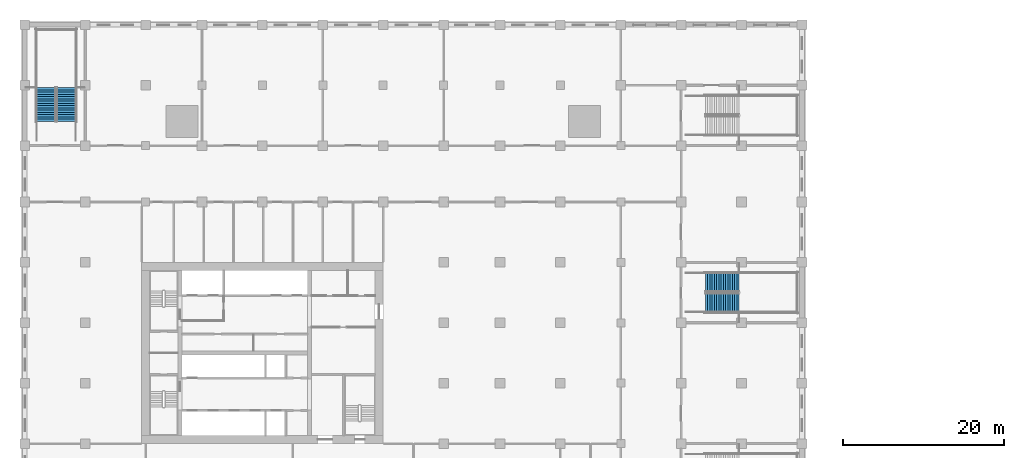
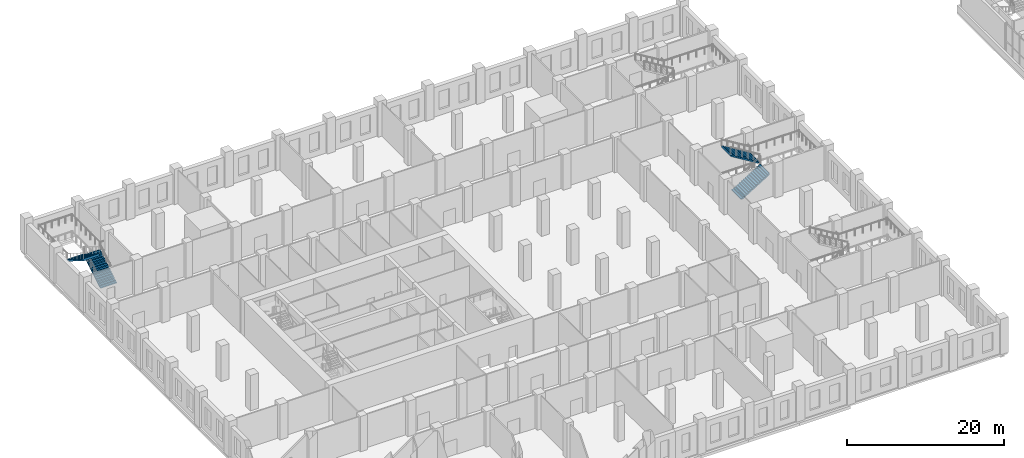
# One storey, part 20 of 35: 4 stair flights, 2 elements without a shape of their own.
"""IFC4 building model written with IfcOpenShell, lengths in metres."""

from ifc_helpers import new_model, si_unit, direction, frame, origin, place, context, subcontext, project, spatial, polyline, outline, extrude, material, type_object, element, aggregate, save


model = new_model("IFC4")

# Units and contexts
model_context = context("Model", 3, precision=1e-05, world=origin(), true_north=direction((0.0, 1.0)))
body_context = subcontext(model_context, "Body", "Model", "MODEL_VIEW")
ifc_project = project(units=[si_unit("LENGTHUNIT", "METRE"), si_unit("AREAUNIT", "SQUARE_METRE"), si_unit("VOLUMEUNIT", "CUBIC_METRE"), si_unit("PLANEANGLEUNIT", "RADIAN"), si_unit("MASSUNIT", "GRAM", prefix="KILO")], contexts=[model_context])

# Site, building, storey
site_placement = place(None, origin())
site = spatial("IfcSite", under=ifc_project, at=site_placement, CompositionType="ELEMENT")
building_placement = place(site_placement, origin())
building = spatial("IfcBuilding", under=site, at=building_placement, Name="Tamorin Gate", CompositionType="ELEMENT")
storey_placement = place(building_placement, frame((0.0, 0.0, 8.0)))
storey = spatial("IfcBuildingStorey", under=building, at=storey_placement, Name="L01", CompositionType="ELEMENT", Elevation=8.0)

# Stair, stair flights
ifc_material = material(Name="Reinforced concrete C32/40", Category="concrete")
stair_type = type_object("IfcStairType", Name="Podium stair PS", PredefinedType="HALF_TURN_STAIR", material=ifc_material)
stair_1_placement = place(storey_placement, origin())
stair_1 = element("IfcStair", 1, at=stair_1_placement, inside=storey, type_object=stair_type, Name="L01 Podium stair PS2", PredefinedType="HALF_TURN_STAIR")
stair_flight_type = type_object("IfcStairFlightType", Name="Stair flight 2400", PredefinedType="STRAIGHT", material=ifc_material)
stair_flight_1_placement = place(storey_placement, frame((20.675048828125, 100.0, 0.0), z_axis=(0.0, 0.0, 1.0), x_axis=(0.0, 1.0, 0.0)))
stair_flight_1 = element("IfcStairFlight", 2, at=stair_flight_1_placement, type_object=stair_flight_type, Name="PS2 flight 1", NumberOfRisers=16, NumberOfTreads=15, PredefinedType="STRAIGHT", RiserHeight=0.171875, TreadLength=0.28, context=body_context, shape_type="SweptSolid", body=[
    extrude(outline(polyline([(-0.00048828125, 0.0), (-0.00048828125, 0.001708984375), (-0.00048828125, 0.00341796875), (-0.00048828125, 0.005126953125), (-0.00048828125, 0.0068359375), (-0.00048828125, 0.008544921875), (-0.00048828125, 0.01025390625), (-0.00048828125, 0.011962890625), (-0.00048828125, 0.013671875), (-0.00048828125, 0.015380859375), (-0.00048828125, 0.01708984375), (-0.00048828125, 0.018798828125), (-0.00048828125, 0.0205078125), (-0.00048828125, 0.022216796875), (-0.00048828125, 0.02392578125), (-0.00048828125, 0.025634765625), (-0.00048828125, 0.02734375), (-0.00048828125, 0.02880859375), (-0.00048828125, 0.030517578125), (-0.00048828125, 0.0322265625), (-0.00048828125, 0.033935546875), (-0.00048828125, 0.03564453125), (-0.00048828125, 0.037353515625), (-0.00048828125, 0.0390625), (-0.00048828125, 0.040771484375), (-0.00048828125, 0.04248046875), (-0.00048828125, 0.044189453125), (-0.00048828125, 0.0458984375), (-0.00048828125, 0.047607421875), (-0.00048828125, 0.04931640625), (-0.00048828125, 0.051025390625), (-0.00048828125, 0.052734375), (-0.00048828125, 0.054443359375), (-0.00048828125, 0.05615234375), (-0.00048828125, 0.057861328125), (-0.00048828125, 0.0595703125), (-0.00048828125, 0.061279296875), (-0.00048828125, 0.06298828125), (-0.00048828125, 0.064697265625), (-0.00048828125, 0.06640625), (-0.00048828125, 0.068115234375), (-0.00048828125, 0.06982421875), (-0.00048828125, 0.071533203125), (-0.00048828125, 0.0732421875), (-0.00048828125, 0.074951171875), (-0.00048828125, 0.07666015625), (-0.00048828125, 0.078369140625), (-0.00048828125, 0.080078125), (-0.00048828125, 0.081787109375), (-0.00048828125, 0.08349609375), (-0.00048828125, 0.085205078125), (-0.00048828125, 0.086669921875), (-0.00048828125, 0.08837890625), (-0.00048828125, 0.090087890625), (-0.00048828125, 0.091796875), (-0.00048828125, 0.093505859375), (-0.00048828125, 0.09521484375), (-0.00048828125, 0.096923828125), (-0.00048828125, 0.0986328125), (-0.00048828125, 0.100341796875), (-0.00048828125, 0.10205078125), (-0.00048828125, 0.103759765625), (-0.00048828125, 0.10546875), (-0.00048828125, 0.107177734375), (-0.00048828125, 0.10888671875), (-0.00048828125, 0.110595703125), (-0.00048828125, 0.1123046875), (-0.00048828125, 0.114013671875), (-0.00048828125, 0.11572265625), (-0.00048828125, 0.117431640625), (-0.00048828125, 0.119140625), (-0.00048828125, 0.120849609375), (-0.00048828125, 0.12255859375), (-0.00048828125, 0.124267578125), (-0.00048828125, 0.1259765625), (-0.00048828125, 0.127685546875), (-0.00048828125, 0.12939453125), (-0.00048828125, 0.131103515625), (-0.00048828125, 0.1328125), (-0.00048828125, 0.134521484375), (-0.00048828125, 0.13623046875), (-0.00048828125, 0.137939453125), (-0.00048828125, 0.1396484375), (-0.00048828125, 0.141357421875), (-0.00048828125, 0.14306640625), (-0.00048828125, 0.14453125), (-0.00048828125, 0.146240234375), (-0.00048828125, 0.14794921875), (-0.00048828125, 0.149658203125), (-0.00048828125, 0.1513671875), (-0.00048828125, 0.153076171875), (-0.00048828125, 0.15478515625), (-0.00048828125, 0.156494140625), (-0.00048828125, 0.158203125), (-0.00048828125, 0.159912109375), (-0.00048828125, 0.16162109375), (-0.00048828125, 0.163330078125), (-0.00048828125, 0.1650390625), (-0.00048828125, 0.166748046875), (-0.00048828125, 0.16845703125), (-0.00048828125, 0.170166015625), (-0.00048828125, 0.171875), (0.280029296875, 0.171875), (0.280029296875, 0.34375), (0.56005859375, 0.34375), (0.56005859375, 0.515625), (0.840087890625, 0.515625), (0.840087890625, 0.6875), (1.1201171875, 0.6875), (1.1201171875, 0.859375), (1.39990234375, 0.859375), (1.39990234375, 1.03125), (1.679931640625, 1.03125), (1.679931640625, 1.203125), (1.9599609375, 1.203125), (1.9599609375, 1.375), (2.239990234375, 1.375), (2.239990234375, 1.546875), (2.52001953125, 1.546875), (2.52001953125, 1.71875), (2.800048828125, 1.71875), (2.800048828125, 1.890625), (3.080078125, 1.890625), (3.080078125, 2.0625), (3.360107421875, 2.0625), (3.360107421875, 2.234375), (3.639892578125, 2.234375), (3.639892578125, 2.40625), (3.919921875, 2.40625), (3.919921875, 2.578125), (4.199951171875, 2.578125), (4.199951171875, 2.75), (4.200439453125, 2.75), (4.200439453125, 2.74658203125), (4.200439453125, 2.7431640625), (4.200439453125, 2.73974609375), (4.200439453125, 2.736328125), (4.200439453125, 2.732666015625), (4.200439453125, 2.729248046875), (4.200439453125, 2.725830078125), (4.200439453125, 2.722412109375), (4.200439453125, 2.718994140625), (4.200439453125, 2.715576171875), (4.200439453125, 2.712158203125), (4.200439453125, 2.708740234375), (4.200439453125, 2.705322265625), (4.200439453125, 2.701904296875), (4.200439453125, 2.6982421875), (4.200439453125, 2.69482421875), (4.200439453125, 2.69140625), (4.200439453125, 2.68798828125), (4.200439453125, 2.6845703125), (4.200439453125, 2.68115234375), (4.200439453125, 2.677734375), (4.200439453125, 2.67431640625), (4.200439453125, 2.6708984375), (4.200439453125, 2.66748046875), (4.200439453125, 2.663818359375), (4.200439453125, 2.660400390625), (4.200439453125, 2.656982421875), (4.200439453125, 2.653564453125), (4.200439453125, 2.650146484375), (4.200439453125, 2.646728515625), (4.200439453125, 2.643310546875), (4.200439453125, 2.639892578125), (4.200439453125, 2.636474609375), (4.200439453125, 2.6328125), (4.200439453125, 2.62939453125), (4.200439453125, 2.6259765625), (4.200439453125, 2.62255859375), (4.200439453125, 2.619140625), (4.200439453125, 2.61572265625), (4.200439453125, 2.6123046875), (4.200439453125, 2.60888671875), (4.200439453125, 2.60546875), (4.200439453125, 2.60205078125), (4.200439453125, 2.598388671875), (4.200439453125, 2.594970703125), (4.200439453125, 2.591552734375), (4.200439453125, 2.588134765625), (4.200439453125, 2.584716796875), (4.200439453125, 2.581298828125), (4.200439453125, 2.577880859375), (4.200439453125, 2.574462890625), (4.200439453125, 2.571044921875), (4.200439453125, 2.567626953125), (4.200439453125, 2.56396484375), (4.200439453125, 2.560546875), (4.200439453125, 2.55712890625), (4.200439453125, 2.5537109375), (4.200439453125, 2.55029296875), (4.200439453125, 2.546875), (4.200439453125, 2.54345703125), (4.200439453125, 2.5400390625), (4.200439453125, 2.53662109375), (4.200439453125, 2.532958984375), (4.200439453125, 2.529541015625), (4.200439453125, 2.526123046875), (4.200439453125, 2.522705078125), (4.200439453125, 2.519287109375), (4.200439453125, 2.515869140625), (4.200439453125, 2.512451171875), (4.200439453125, 2.509033203125), (4.200439453125, 2.505615234375), (4.200439453125, 2.502197265625), (4.200439453125, 2.49853515625), (4.200439453125, 2.4951171875), (4.200439453125, 2.49169921875), (4.200439453125, 2.48828125), (4.200439453125, 2.48486328125), (4.200439453125, 2.4814453125), (4.200439453125, 2.47802734375), (4.200439453125, 2.474609375), (4.200439453125, 2.47119140625), (4.200439453125, 2.4677734375), (4.200439453125, 2.464111328125), (4.200439453125, 2.460693359375), (4.200439453125, 2.457275390625), (4.200439453125, 2.453857421875), (4.200439453125, 2.450439453125), (4.200439453125, 2.447021484375), (4.200439453125, 2.443603515625), (4.200439453125, 2.440185546875), (4.200439453125, 2.436767578125), (4.200439453125, 2.43310546875), (4.200439453125, 2.4296875), (4.200439453125, 2.42626953125), (4.200439453125, 2.4228515625), (4.200439453125, 2.41943359375), (4.200439453125, 2.416015625), (4.200439453125, 2.41259765625), (4.200439453125, 2.4091796875), (4.200439453125, 2.40576171875), (4.200439453125, 2.40234375), (4.199951171875, 2.40234375), (0.28662109375, 0.0), (-0.00048828125, 0.0)])), frame((0.0, 1.199951171875, 0.0), z_axis=(0.0, -1.0, 0.0), x_axis=(1.0, 0.0, 0.0)), (0.0, 0.0, 1.0), 2.39990234375),
])
stair_flight_2_placement = place(storey_placement, frame((18.125, 104.199951171875, 2.75), z_axis=(0.0, 0.0, 1.0), x_axis=(0.0, -1.0, 0.0)))
stair_flight_2 = element("IfcStairFlight", 3, at=stair_flight_2_placement, type_object=stair_flight_type, Name="PS2 flight 2", NumberOfRisers=16, NumberOfTreads=15, PredefinedType="STRAIGHT", RiserHeight=0.171875, TreadLength=0.28, context=body_context, shape_type="SweptSolid", body=[
    extrude(outline(polyline([(-0.00048828125, 0.0), (-0.00048828125, 0.001708984375), (-0.00048828125, 0.00341796875), (-0.00048828125, 0.005126953125), (-0.00048828125, 0.0068359375), (-0.00048828125, 0.008544921875), (-0.00048828125, 0.01025390625), (-0.00048828125, 0.011962890625), (-0.00048828125, 0.013671875), (-0.00048828125, 0.015380859375), (-0.00048828125, 0.01708984375), (-0.00048828125, 0.018798828125), (-0.00048828125, 0.0205078125), (-0.00048828125, 0.022216796875), (-0.00048828125, 0.02392578125), (-0.00048828125, 0.025634765625), (-0.00048828125, 0.02734375), (-0.00048828125, 0.02880859375), (-0.00048828125, 0.030517578125), (-0.00048828125, 0.0322265625), (-0.00048828125, 0.033935546875), (-0.00048828125, 0.03564453125), (-0.00048828125, 0.037353515625), (-0.00048828125, 0.0390625), (-0.00048828125, 0.040771484375), (-0.00048828125, 0.04248046875), (-0.00048828125, 0.044189453125), (-0.00048828125, 0.0458984375), (-0.00048828125, 0.047607421875), (-0.00048828125, 0.04931640625), (-0.00048828125, 0.051025390625), (-0.00048828125, 0.052734375), (-0.00048828125, 0.054443359375), (-0.00048828125, 0.05615234375), (-0.00048828125, 0.057861328125), (-0.00048828125, 0.0595703125), (-0.00048828125, 0.061279296875), (-0.00048828125, 0.06298828125), (-0.00048828125, 0.064697265625), (-0.00048828125, 0.06640625), (-0.00048828125, 0.068115234375), (-0.00048828125, 0.06982421875), (-0.00048828125, 0.071533203125), (-0.00048828125, 0.0732421875), (-0.00048828125, 0.074951171875), (-0.00048828125, 0.07666015625), (-0.00048828125, 0.078369140625), (-0.00048828125, 0.080078125), (-0.00048828125, 0.081787109375), (-0.00048828125, 0.08349609375), (-0.00048828125, 0.085205078125), (-0.00048828125, 0.086669921875), (-0.00048828125, 0.08837890625), (-0.00048828125, 0.090087890625), (-0.00048828125, 0.091796875), (-0.00048828125, 0.093505859375), (-0.00048828125, 0.09521484375), (-0.00048828125, 0.096923828125), (-0.00048828125, 0.0986328125), (-0.00048828125, 0.100341796875), (-0.00048828125, 0.10205078125), (-0.00048828125, 0.103759765625), (-0.00048828125, 0.10546875), (-0.00048828125, 0.107177734375), (-0.00048828125, 0.10888671875), (-0.00048828125, 0.110595703125), (-0.00048828125, 0.1123046875), (-0.00048828125, 0.114013671875), (-0.00048828125, 0.11572265625), (-0.00048828125, 0.117431640625), (-0.00048828125, 0.119140625), (-0.00048828125, 0.120849609375), (-0.00048828125, 0.12255859375), (-0.00048828125, 0.124267578125), (-0.00048828125, 0.1259765625), (-0.00048828125, 0.127685546875), (-0.00048828125, 0.12939453125), (-0.00048828125, 0.131103515625), (-0.00048828125, 0.1328125), (-0.00048828125, 0.134521484375), (-0.00048828125, 0.13623046875), (-0.00048828125, 0.137939453125), (-0.00048828125, 0.1396484375), (-0.00048828125, 0.141357421875), (-0.00048828125, 0.14306640625), (-0.00048828125, 0.14453125), (-0.00048828125, 0.146240234375), (-0.00048828125, 0.14794921875), (-0.00048828125, 0.149658203125), (-0.00048828125, 0.1513671875), (-0.00048828125, 0.153076171875), (-0.00048828125, 0.15478515625), (-0.00048828125, 0.156494140625), (-0.00048828125, 0.158203125), (-0.00048828125, 0.159912109375), (-0.00048828125, 0.16162109375), (-0.00048828125, 0.163330078125), (-0.00048828125, 0.1650390625), (-0.00048828125, 0.166748046875), (-0.00048828125, 0.16845703125), (-0.00048828125, 0.170166015625), (-0.00048828125, 0.171875), (0.280029296875, 0.171875), (0.280029296875, 0.34375), (0.56005859375, 0.34375), (0.56005859375, 0.515625), (0.840087890625, 0.515625), (0.840087890625, 0.6875), (1.1201171875, 0.6875), (1.1201171875, 0.859375), (1.39990234375, 0.859375), (1.39990234375, 1.03125), (1.679931640625, 1.03125), (1.679931640625, 1.203125), (1.9599609375, 1.203125), (1.9599609375, 1.375), (2.239990234375, 1.375), (2.239990234375, 1.546875), (2.52001953125, 1.546875), (2.52001953125, 1.71875), (2.800048828125, 1.71875), (2.800048828125, 1.890625), (3.080078125, 1.890625), (3.080078125, 2.0625), (3.360107421875, 2.0625), (3.360107421875, 2.234375), (3.639892578125, 2.234375), (3.639892578125, 2.40625), (3.919921875, 2.40625), (3.919921875, 2.578125), (4.199951171875, 2.578125), (4.199951171875, 2.75), (4.200439453125, 2.75), (4.200439453125, 2.74658203125), (4.200439453125, 2.7431640625), (4.200439453125, 2.73974609375), (4.200439453125, 2.736328125), (4.200439453125, 2.732666015625), (4.200439453125, 2.729248046875), (4.200439453125, 2.725830078125), (4.200439453125, 2.722412109375), (4.200439453125, 2.718994140625), (4.200439453125, 2.715576171875), (4.200439453125, 2.712158203125), (4.200439453125, 2.708740234375), (4.200439453125, 2.705322265625), (4.200439453125, 2.701904296875), (4.200439453125, 2.6982421875), (4.200439453125, 2.69482421875), (4.200439453125, 2.69140625), (4.200439453125, 2.68798828125), (4.200439453125, 2.6845703125), (4.200439453125, 2.68115234375), (4.200439453125, 2.677734375), (4.200439453125, 2.67431640625), (4.200439453125, 2.6708984375), (4.200439453125, 2.66748046875), (4.200439453125, 2.663818359375), (4.200439453125, 2.660400390625), (4.200439453125, 2.656982421875), (4.200439453125, 2.653564453125), (4.200439453125, 2.650146484375), (4.200439453125, 2.646728515625), (4.200439453125, 2.643310546875), (4.200439453125, 2.639892578125), (4.200439453125, 2.636474609375), (4.200439453125, 2.6328125), (4.200439453125, 2.62939453125), (4.200439453125, 2.6259765625), (4.200439453125, 2.62255859375), (4.200439453125, 2.619140625), (4.200439453125, 2.61572265625), (4.200439453125, 2.6123046875), (4.200439453125, 2.60888671875), (4.200439453125, 2.60546875), (4.200439453125, 2.60205078125), (4.200439453125, 2.598388671875), (4.200439453125, 2.594970703125), (4.200439453125, 2.591552734375), (4.200439453125, 2.588134765625), (4.200439453125, 2.584716796875), (4.200439453125, 2.581298828125), (4.200439453125, 2.577880859375), (4.200439453125, 2.574462890625), (4.200439453125, 2.571044921875), (4.200439453125, 2.567626953125), (4.200439453125, 2.56396484375), (4.200439453125, 2.560546875), (4.200439453125, 2.55712890625), (4.200439453125, 2.5537109375), (4.200439453125, 2.55029296875), (4.200439453125, 2.546875), (4.200439453125, 2.54345703125), (4.200439453125, 2.5400390625), (4.200439453125, 2.53662109375), (4.200439453125, 2.532958984375), (4.200439453125, 2.529541015625), (4.200439453125, 2.526123046875), (4.200439453125, 2.522705078125), (4.200439453125, 2.519287109375), (4.200439453125, 2.515869140625), (4.200439453125, 2.512451171875), (4.200439453125, 2.509033203125), (4.200439453125, 2.505615234375), (4.200439453125, 2.502197265625), (4.200439453125, 2.49853515625), (4.200439453125, 2.4951171875), (4.200439453125, 2.49169921875), (4.200439453125, 2.48828125), (4.200439453125, 2.48486328125), (4.200439453125, 2.4814453125), (4.200439453125, 2.47802734375), (4.200439453125, 2.474609375), (4.200439453125, 2.47119140625), (4.200439453125, 2.4677734375), (4.200439453125, 2.464111328125), (4.200439453125, 2.460693359375), (4.200439453125, 2.457275390625), (4.200439453125, 2.453857421875), (4.200439453125, 2.450439453125), (4.200439453125, 2.447021484375), (4.200439453125, 2.443603515625), (4.200439453125, 2.440185546875), (4.200439453125, 2.436767578125), (4.200439453125, 2.43310546875), (4.200439453125, 2.4296875), (4.200439453125, 2.42626953125), (4.200439453125, 2.4228515625), (4.200439453125, 2.41943359375), (4.200439453125, 2.416015625), (4.200439453125, 2.41259765625), (4.200439453125, 2.4091796875), (4.200439453125, 2.40576171875), (4.200439453125, 2.40234375), (4.199951171875, 2.40234375), (0.28662109375, 0.0), (-0.00048828125, 0.0)])), frame((0.0, 1.199951171875, 0.0), z_axis=(0.0, -1.0, 0.0), x_axis=(1.0, 0.0, 0.0)), (0.0, 0.0, 1.0), 2.39990234375),
])
aggregate(stair_1, [stair_flight_1, stair_flight_2])

stair_2_placement = place(storey_placement, origin())
stair_2 = element("IfcStair", 4, at=stair_2_placement, inside=storey, type_object=stair_type, Name="L01 Podium stair PS5", PredefinedType="HALF_TURN_STAIR")
stair_flight_3_placement = place(storey_placement, frame((100.0, 77.47509765625, 0.0), z_axis=(0.0, 0.0, 1.0), x_axis=(1.0, 0.0, 0.0)))
stair_flight_3 = element("IfcStairFlight", 5, at=stair_flight_3_placement, type_object=stair_flight_type, Name="PS5 flight 1", NumberOfRisers=16, NumberOfTreads=15, PredefinedType="STRAIGHT", RiserHeight=0.171875, TreadLength=0.28, context=body_context, shape_type="SweptSolid", body=[
    extrude(outline(polyline([(-0.00048828125, 0.0), (-0.00048828125, 0.001708984375), (-0.00048828125, 0.00341796875), (-0.00048828125, 0.005126953125), (-0.00048828125, 0.0068359375), (-0.00048828125, 0.008544921875), (-0.00048828125, 0.01025390625), (-0.00048828125, 0.011962890625), (-0.00048828125, 0.013671875), (-0.00048828125, 0.015380859375), (-0.00048828125, 0.01708984375), (-0.00048828125, 0.018798828125), (-0.00048828125, 0.0205078125), (-0.00048828125, 0.022216796875), (-0.00048828125, 0.02392578125), (-0.00048828125, 0.025634765625), (-0.00048828125, 0.02734375), (-0.00048828125, 0.02880859375), (-0.00048828125, 0.030517578125), (-0.00048828125, 0.0322265625), (-0.00048828125, 0.033935546875), (-0.00048828125, 0.03564453125), (-0.00048828125, 0.037353515625), (-0.00048828125, 0.0390625), (-0.00048828125, 0.040771484375), (-0.00048828125, 0.04248046875), (-0.00048828125, 0.044189453125), (-0.00048828125, 0.0458984375), (-0.00048828125, 0.047607421875), (-0.00048828125, 0.04931640625), (-0.00048828125, 0.051025390625), (-0.00048828125, 0.052734375), (-0.00048828125, 0.054443359375), (-0.00048828125, 0.05615234375), (-0.00048828125, 0.057861328125), (-0.00048828125, 0.0595703125), (-0.00048828125, 0.061279296875), (-0.00048828125, 0.06298828125), (-0.00048828125, 0.064697265625), (-0.00048828125, 0.06640625), (-0.00048828125, 0.068115234375), (-0.00048828125, 0.06982421875), (-0.00048828125, 0.071533203125), (-0.00048828125, 0.0732421875), (-0.00048828125, 0.074951171875), (-0.00048828125, 0.07666015625), (-0.00048828125, 0.078369140625), (-0.00048828125, 0.080078125), (-0.00048828125, 0.081787109375), (-0.00048828125, 0.08349609375), (-0.00048828125, 0.085205078125), (-0.00048828125, 0.086669921875), (-0.00048828125, 0.08837890625), (-0.00048828125, 0.090087890625), (-0.00048828125, 0.091796875), (-0.00048828125, 0.093505859375), (-0.00048828125, 0.09521484375), (-0.00048828125, 0.096923828125), (-0.00048828125, 0.0986328125), (-0.00048828125, 0.100341796875), (-0.00048828125, 0.10205078125), (-0.00048828125, 0.103759765625), (-0.00048828125, 0.10546875), (-0.00048828125, 0.107177734375), (-0.00048828125, 0.10888671875), (-0.00048828125, 0.110595703125), (-0.00048828125, 0.1123046875), (-0.00048828125, 0.114013671875), (-0.00048828125, 0.11572265625), (-0.00048828125, 0.117431640625), (-0.00048828125, 0.119140625), (-0.00048828125, 0.120849609375), (-0.00048828125, 0.12255859375), (-0.00048828125, 0.124267578125), (-0.00048828125, 0.1259765625), (-0.00048828125, 0.127685546875), (-0.00048828125, 0.12939453125), (-0.00048828125, 0.131103515625), (-0.00048828125, 0.1328125), (-0.00048828125, 0.134521484375), (-0.00048828125, 0.13623046875), (-0.00048828125, 0.137939453125), (-0.00048828125, 0.1396484375), (-0.00048828125, 0.141357421875), (-0.00048828125, 0.14306640625), (-0.00048828125, 0.14453125), (-0.00048828125, 0.146240234375), (-0.00048828125, 0.14794921875), (-0.00048828125, 0.149658203125), (-0.00048828125, 0.1513671875), (-0.00048828125, 0.153076171875), (-0.00048828125, 0.15478515625), (-0.00048828125, 0.156494140625), (-0.00048828125, 0.158203125), (-0.00048828125, 0.159912109375), (-0.00048828125, 0.16162109375), (-0.00048828125, 0.163330078125), (-0.00048828125, 0.1650390625), (-0.00048828125, 0.166748046875), (-0.00048828125, 0.16845703125), (-0.00048828125, 0.170166015625), (-0.00048828125, 0.171875), (0.280029296875, 0.171875), (0.280029296875, 0.34375), (0.56005859375, 0.34375), (0.56005859375, 0.515625), (0.840087890625, 0.515625), (0.840087890625, 0.6875), (1.1201171875, 0.6875), (1.1201171875, 0.859375), (1.39990234375, 0.859375), (1.39990234375, 1.03125), (1.679931640625, 1.03125), (1.679931640625, 1.203125), (1.9599609375, 1.203125), (1.9599609375, 1.375), (2.239990234375, 1.375), (2.239990234375, 1.546875), (2.52001953125, 1.546875), (2.52001953125, 1.71875), (2.800048828125, 1.71875), (2.800048828125, 1.890625), (3.080078125, 1.890625), (3.080078125, 2.0625), (3.360107421875, 2.0625), (3.360107421875, 2.234375), (3.639892578125, 2.234375), (3.639892578125, 2.40625), (3.919921875, 2.40625), (3.919921875, 2.578125), (4.199951171875, 2.578125), (4.199951171875, 2.75), (4.200439453125, 2.75), (4.200439453125, 2.74658203125), (4.200439453125, 2.7431640625), (4.200439453125, 2.73974609375), (4.200439453125, 2.736328125), (4.200439453125, 2.732666015625), (4.200439453125, 2.729248046875), (4.200439453125, 2.725830078125), (4.200439453125, 2.722412109375), (4.200439453125, 2.718994140625), (4.200439453125, 2.715576171875), (4.200439453125, 2.712158203125), (4.200439453125, 2.708740234375), (4.200439453125, 2.705322265625), (4.200439453125, 2.701904296875), (4.200439453125, 2.6982421875), (4.200439453125, 2.69482421875), (4.200439453125, 2.69140625), (4.200439453125, 2.68798828125), (4.200439453125, 2.6845703125), (4.200439453125, 2.68115234375), (4.200439453125, 2.677734375), (4.200439453125, 2.67431640625), (4.200439453125, 2.6708984375), (4.200439453125, 2.66748046875), (4.200439453125, 2.663818359375), (4.200439453125, 2.660400390625), (4.200439453125, 2.656982421875), (4.200439453125, 2.653564453125), (4.200439453125, 2.650146484375), (4.200439453125, 2.646728515625), (4.200439453125, 2.643310546875), (4.200439453125, 2.639892578125), (4.200439453125, 2.636474609375), (4.200439453125, 2.6328125), (4.200439453125, 2.62939453125), (4.200439453125, 2.6259765625), (4.200439453125, 2.62255859375), (4.200439453125, 2.619140625), (4.200439453125, 2.61572265625), (4.200439453125, 2.6123046875), (4.200439453125, 2.60888671875), (4.200439453125, 2.60546875), (4.200439453125, 2.60205078125), (4.200439453125, 2.598388671875), (4.200439453125, 2.594970703125), (4.200439453125, 2.591552734375), (4.200439453125, 2.588134765625), (4.200439453125, 2.584716796875), (4.200439453125, 2.581298828125), (4.200439453125, 2.577880859375), (4.200439453125, 2.574462890625), (4.200439453125, 2.571044921875), (4.200439453125, 2.567626953125), (4.200439453125, 2.56396484375), (4.200439453125, 2.560546875), (4.200439453125, 2.55712890625), (4.200439453125, 2.5537109375), (4.200439453125, 2.55029296875), (4.200439453125, 2.546875), (4.200439453125, 2.54345703125), (4.200439453125, 2.5400390625), (4.200439453125, 2.53662109375), (4.200439453125, 2.532958984375), (4.200439453125, 2.529541015625), (4.200439453125, 2.526123046875), (4.200439453125, 2.522705078125), (4.200439453125, 2.519287109375), (4.200439453125, 2.515869140625), (4.200439453125, 2.512451171875), (4.200439453125, 2.509033203125), (4.200439453125, 2.505615234375), (4.200439453125, 2.502197265625), (4.200439453125, 2.49853515625), (4.200439453125, 2.4951171875), (4.200439453125, 2.49169921875), (4.200439453125, 2.48828125), (4.200439453125, 2.48486328125), (4.200439453125, 2.4814453125), (4.200439453125, 2.47802734375), (4.200439453125, 2.474609375), (4.200439453125, 2.47119140625), (4.200439453125, 2.4677734375), (4.200439453125, 2.464111328125), (4.200439453125, 2.460693359375), (4.200439453125, 2.457275390625), (4.200439453125, 2.453857421875), (4.200439453125, 2.450439453125), (4.200439453125, 2.447021484375), (4.200439453125, 2.443603515625), (4.200439453125, 2.440185546875), (4.200439453125, 2.436767578125), (4.200439453125, 2.43310546875), (4.200439453125, 2.4296875), (4.200439453125, 2.42626953125), (4.200439453125, 2.4228515625), (4.200439453125, 2.41943359375), (4.200439453125, 2.416015625), (4.200439453125, 2.41259765625), (4.200439453125, 2.4091796875), (4.200439453125, 2.40576171875), (4.200439453125, 2.40234375), (4.199951171875, 2.40234375), (0.28662109375, 0.0), (-0.00048828125, 0.0)])), frame((0.0, 1.199951171875, 0.0), z_axis=(0.0, -1.0, 0.0), x_axis=(1.0, 0.0, 0.0)), (0.0, 0.0, 1.0), 2.39990234375),
])
stair_flight_4_placement = place(storey_placement, frame((104.199951171875, 80.02490234375, 2.75), z_axis=(0.0, 0.0, 1.0), x_axis=(-1.0, 0.0, 0.0)))
stair_flight_4 = element("IfcStairFlight", 6, at=stair_flight_4_placement, type_object=stair_flight_type, Name="PS5 flight 2", NumberOfRisers=16, NumberOfTreads=15, PredefinedType="STRAIGHT", RiserHeight=0.171875, TreadLength=0.28, context=body_context, shape_type="SweptSolid", body=[
    extrude(outline(polyline([(-0.00048828125, 0.0), (-0.00048828125, 0.001708984375), (-0.00048828125, 0.00341796875), (-0.00048828125, 0.005126953125), (-0.00048828125, 0.0068359375), (-0.00048828125, 0.008544921875), (-0.00048828125, 0.01025390625), (-0.00048828125, 0.011962890625), (-0.00048828125, 0.013671875), (-0.00048828125, 0.015380859375), (-0.00048828125, 0.01708984375), (-0.00048828125, 0.018798828125), (-0.00048828125, 0.0205078125), (-0.00048828125, 0.022216796875), (-0.00048828125, 0.02392578125), (-0.00048828125, 0.025634765625), (-0.00048828125, 0.02734375), (-0.00048828125, 0.02880859375), (-0.00048828125, 0.030517578125), (-0.00048828125, 0.0322265625), (-0.00048828125, 0.033935546875), (-0.00048828125, 0.03564453125), (-0.00048828125, 0.037353515625), (-0.00048828125, 0.0390625), (-0.00048828125, 0.040771484375), (-0.00048828125, 0.04248046875), (-0.00048828125, 0.044189453125), (-0.00048828125, 0.0458984375), (-0.00048828125, 0.047607421875), (-0.00048828125, 0.04931640625), (-0.00048828125, 0.051025390625), (-0.00048828125, 0.052734375), (-0.00048828125, 0.054443359375), (-0.00048828125, 0.05615234375), (-0.00048828125, 0.057861328125), (-0.00048828125, 0.0595703125), (-0.00048828125, 0.061279296875), (-0.00048828125, 0.06298828125), (-0.00048828125, 0.064697265625), (-0.00048828125, 0.06640625), (-0.00048828125, 0.068115234375), (-0.00048828125, 0.06982421875), (-0.00048828125, 0.071533203125), (-0.00048828125, 0.0732421875), (-0.00048828125, 0.074951171875), (-0.00048828125, 0.07666015625), (-0.00048828125, 0.078369140625), (-0.00048828125, 0.080078125), (-0.00048828125, 0.081787109375), (-0.00048828125, 0.08349609375), (-0.00048828125, 0.085205078125), (-0.00048828125, 0.086669921875), (-0.00048828125, 0.08837890625), (-0.00048828125, 0.090087890625), (-0.00048828125, 0.091796875), (-0.00048828125, 0.093505859375), (-0.00048828125, 0.09521484375), (-0.00048828125, 0.096923828125), (-0.00048828125, 0.0986328125), (-0.00048828125, 0.100341796875), (-0.00048828125, 0.10205078125), (-0.00048828125, 0.103759765625), (-0.00048828125, 0.10546875), (-0.00048828125, 0.107177734375), (-0.00048828125, 0.10888671875), (-0.00048828125, 0.110595703125), (-0.00048828125, 0.1123046875), (-0.00048828125, 0.114013671875), (-0.00048828125, 0.11572265625), (-0.00048828125, 0.117431640625), (-0.00048828125, 0.119140625), (-0.00048828125, 0.120849609375), (-0.00048828125, 0.12255859375), (-0.00048828125, 0.124267578125), (-0.00048828125, 0.1259765625), (-0.00048828125, 0.127685546875), (-0.00048828125, 0.12939453125), (-0.00048828125, 0.131103515625), (-0.00048828125, 0.1328125), (-0.00048828125, 0.134521484375), (-0.00048828125, 0.13623046875), (-0.00048828125, 0.137939453125), (-0.00048828125, 0.1396484375), (-0.00048828125, 0.141357421875), (-0.00048828125, 0.14306640625), (-0.00048828125, 0.14453125), (-0.00048828125, 0.146240234375), (-0.00048828125, 0.14794921875), (-0.00048828125, 0.149658203125), (-0.00048828125, 0.1513671875), (-0.00048828125, 0.153076171875), (-0.00048828125, 0.15478515625), (-0.00048828125, 0.156494140625), (-0.00048828125, 0.158203125), (-0.00048828125, 0.159912109375), (-0.00048828125, 0.16162109375), (-0.00048828125, 0.163330078125), (-0.00048828125, 0.1650390625), (-0.00048828125, 0.166748046875), (-0.00048828125, 0.16845703125), (-0.00048828125, 0.170166015625), (-0.00048828125, 0.171875), (0.280029296875, 0.171875), (0.280029296875, 0.34375), (0.56005859375, 0.34375), (0.56005859375, 0.515625), (0.840087890625, 0.515625), (0.840087890625, 0.6875), (1.1201171875, 0.6875), (1.1201171875, 0.859375), (1.39990234375, 0.859375), (1.39990234375, 1.03125), (1.679931640625, 1.03125), (1.679931640625, 1.203125), (1.9599609375, 1.203125), (1.9599609375, 1.375), (2.239990234375, 1.375), (2.239990234375, 1.546875), (2.52001953125, 1.546875), (2.52001953125, 1.71875), (2.800048828125, 1.71875), (2.800048828125, 1.890625), (3.080078125, 1.890625), (3.080078125, 2.0625), (3.360107421875, 2.0625), (3.360107421875, 2.234375), (3.639892578125, 2.234375), (3.639892578125, 2.40625), (3.919921875, 2.40625), (3.919921875, 2.578125), (4.199951171875, 2.578125), (4.199951171875, 2.75), (4.200439453125, 2.75), (4.200439453125, 2.74658203125), (4.200439453125, 2.7431640625), (4.200439453125, 2.73974609375), (4.200439453125, 2.736328125), (4.200439453125, 2.732666015625), (4.200439453125, 2.729248046875), (4.200439453125, 2.725830078125), (4.200439453125, 2.722412109375), (4.200439453125, 2.718994140625), (4.200439453125, 2.715576171875), (4.200439453125, 2.712158203125), (4.200439453125, 2.708740234375), (4.200439453125, 2.705322265625), (4.200439453125, 2.701904296875), (4.200439453125, 2.6982421875), (4.200439453125, 2.69482421875), (4.200439453125, 2.69140625), (4.200439453125, 2.68798828125), (4.200439453125, 2.6845703125), (4.200439453125, 2.68115234375), (4.200439453125, 2.677734375), (4.200439453125, 2.67431640625), (4.200439453125, 2.6708984375), (4.200439453125, 2.66748046875), (4.200439453125, 2.663818359375), (4.200439453125, 2.660400390625), (4.200439453125, 2.656982421875), (4.200439453125, 2.653564453125), (4.200439453125, 2.650146484375), (4.200439453125, 2.646728515625), (4.200439453125, 2.643310546875), (4.200439453125, 2.639892578125), (4.200439453125, 2.636474609375), (4.200439453125, 2.6328125), (4.200439453125, 2.62939453125), (4.200439453125, 2.6259765625), (4.200439453125, 2.62255859375), (4.200439453125, 2.619140625), (4.200439453125, 2.61572265625), (4.200439453125, 2.6123046875), (4.200439453125, 2.60888671875), (4.200439453125, 2.60546875), (4.200439453125, 2.60205078125), (4.200439453125, 2.598388671875), (4.200439453125, 2.594970703125), (4.200439453125, 2.591552734375), (4.200439453125, 2.588134765625), (4.200439453125, 2.584716796875), (4.200439453125, 2.581298828125), (4.200439453125, 2.577880859375), (4.200439453125, 2.574462890625), (4.200439453125, 2.571044921875), (4.200439453125, 2.567626953125), (4.200439453125, 2.56396484375), (4.200439453125, 2.560546875), (4.200439453125, 2.55712890625), (4.200439453125, 2.5537109375), (4.200439453125, 2.55029296875), (4.200439453125, 2.546875), (4.200439453125, 2.54345703125), (4.200439453125, 2.5400390625), (4.200439453125, 2.53662109375), (4.200439453125, 2.532958984375), (4.200439453125, 2.529541015625), (4.200439453125, 2.526123046875), (4.200439453125, 2.522705078125), (4.200439453125, 2.519287109375), (4.200439453125, 2.515869140625), (4.200439453125, 2.512451171875), (4.200439453125, 2.509033203125), (4.200439453125, 2.505615234375), (4.200439453125, 2.502197265625), (4.200439453125, 2.49853515625), (4.200439453125, 2.4951171875), (4.200439453125, 2.49169921875), (4.200439453125, 2.48828125), (4.200439453125, 2.48486328125), (4.200439453125, 2.4814453125), (4.200439453125, 2.47802734375), (4.200439453125, 2.474609375), (4.200439453125, 2.47119140625), (4.200439453125, 2.4677734375), (4.200439453125, 2.464111328125), (4.200439453125, 2.460693359375), (4.200439453125, 2.457275390625), (4.200439453125, 2.453857421875), (4.200439453125, 2.450439453125), (4.200439453125, 2.447021484375), (4.200439453125, 2.443603515625), (4.200439453125, 2.440185546875), (4.200439453125, 2.436767578125), (4.200439453125, 2.43310546875), (4.200439453125, 2.4296875), (4.200439453125, 2.42626953125), (4.200439453125, 2.4228515625), (4.200439453125, 2.41943359375), (4.200439453125, 2.416015625), (4.200439453125, 2.41259765625), (4.200439453125, 2.4091796875), (4.200439453125, 2.40576171875), (4.200439453125, 2.40234375), (4.199951171875, 2.40234375), (0.28662109375, 0.0), (-0.00048828125, 0.0)])), frame((0.0, 1.199951171875, 0.0), z_axis=(0.0, -1.0, 0.0), x_axis=(1.0, 0.0, 0.0)), (0.0, 0.0, 1.0), 2.39990234375),
])
aggregate(stair_2, [stair_flight_3, stair_flight_4])

save(model, "model.ifc")
